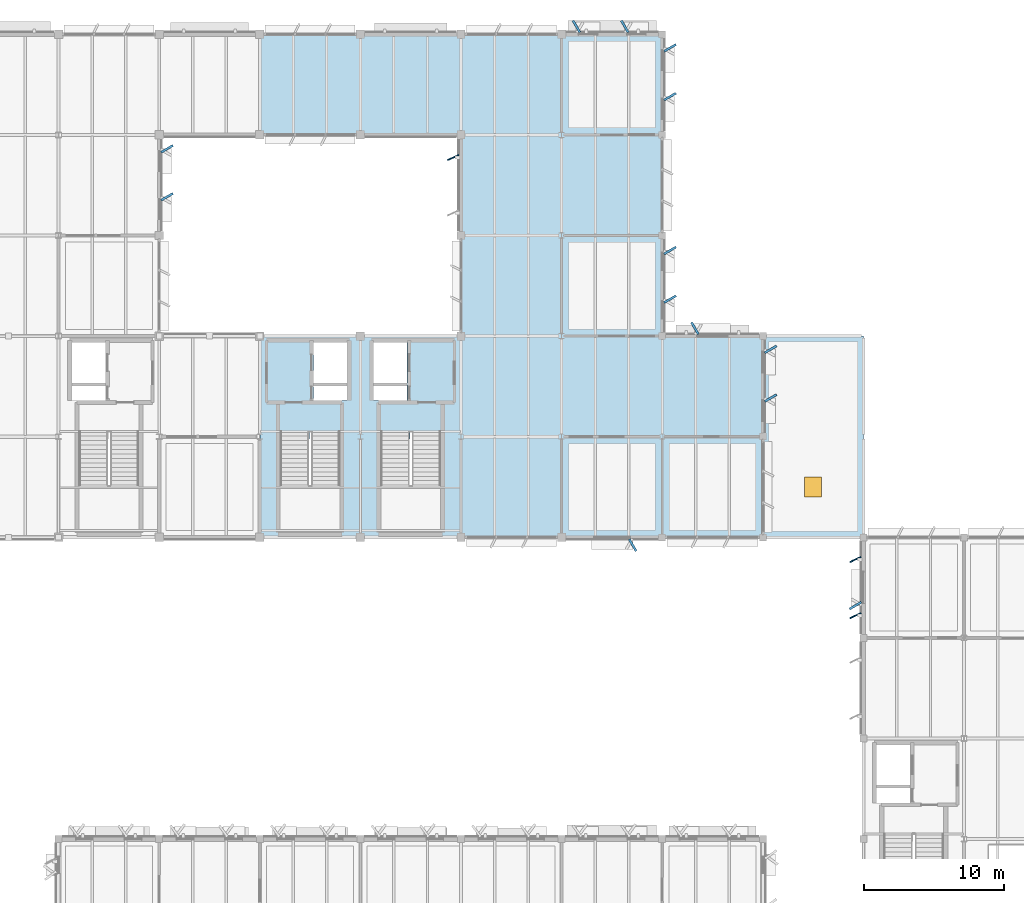
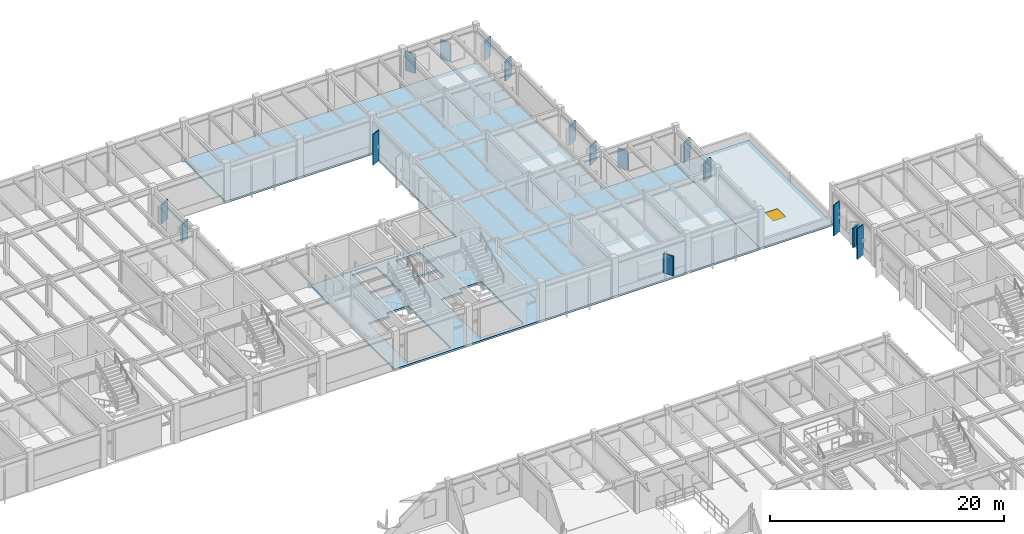
# One storey, part 28 of 85: 16 plates, 2 slabs, 1 door, 1 opening.
"""IFC4 building model written with IfcOpenShell, lengths in metres."""

from ifc_helpers import new_model, si_unit, direction, frame, origin, origin_2d, place, context, subcontext, project, spatial, polyline, rectangle, outline, extrude, material, layer, layer_set, type_object, element, fill, save


model = new_model("IFC4")

# Units and contexts
model_context = context("Model", 3, precision=1e-05, world=origin(), true_north=direction((0.0, 1.0)))
body_context = subcontext(model_context, "Body", "Model", "MODEL_VIEW")
ifc_project = project(units=[si_unit("LENGTHUNIT", "METRE"), si_unit("AREAUNIT", "SQUARE_METRE"), si_unit("VOLUMEUNIT", "CUBIC_METRE"), si_unit("PLANEANGLEUNIT", "RADIAN"), si_unit("MASSUNIT", "GRAM", prefix="KILO")], contexts=[model_context])

# Site, building, storey
site_placement = place(None, origin())
site = spatial("IfcSite", under=ifc_project, at=site_placement, CompositionType="ELEMENT")
building_placement = place(site_placement, origin())
building = spatial("IfcBuilding", under=site, at=building_placement, Name="Sillqori Civic Hall", CompositionType="ELEMENT")
storey_placement = place(building_placement, frame((0.0, 0.0, 9.89990234375)))
storey = spatial("IfcBuildingStorey", under=building, at=storey_placement, Name="L03", CompositionType="ELEMENT", Elevation=9.89990234375)

# Plates
ifc_material_1 = material(Name="Precast concrete C40/50 (H40)", Category="concrete")
ifc_layer_1 = layer(ifc_material_1, 0.159912109375)
ifc_layer_set_1 = layer_set([ifc_layer_1], Name="Precast concrete C40/50 (H40)")
plate_type_1 = type_object("IfcPlateType", Name="FIN-WEST-350", PredefinedType="USERDEFINED", material=ifc_layer_set_1)
for number, where, z_axis, x_axis, name in (
    (1, (93.034912109375, 106.3798828125, 0.150146484375), (0.0, 0.0, 1.0), (-0.422618261741, 0.906307787037, 0.0), "L03 west brise-soleil fin L03-13-14-W.2"),
    (2, (121.824951171875, 73.590087890625, 0.150146484375), (0.0, 0.0, 1.0), (-0.422618261741, 0.906307787037, 0.0), "L03 west brise-soleil fin L03-17-10-W.1"),
    (3, (121.824951171875, 77.610107421875, 0.150146484375), (0.0, 0.0, 1.0), (-0.422618261741, 0.906307787037, 0.0), "L03 west brise-soleil fin L03-17-10-W.2"),
):
    element("IfcPlate", number, at=place(storey_placement, frame(where, z_axis=z_axis, x_axis=x_axis)), inside=storey, type_object=plate_type_1, Name=name, ObjectType="SOLAR_FIN", PredefinedType="USERDEFINED", context=body_context, shape_type="SweptSolid", body=[
        extrude(rectangle(XDim=0.090087890625, YDim=0.8798828125, at=origin_2d()), origin(), (0.0, 0.0, 1.0), 3.18701171875),
    ])
ifc_layer_2 = layer(ifc_material_1, 0.159912109375)
ifc_layer_set_2 = layer_set([ifc_layer_2], Name="Precast concrete C40/50 (H40)")
plate_type_2 = type_object("IfcPlateType", Name="REV-SAW-200", PredefinedType="USERDEFINED", material=ifc_layer_set_2)
for number, where, z_axis, x_axis, name in (
    (4, (72.56005859375, 107.0009765625, 0.875), (0.0, 0.0, 1.0), (0.5, -0.866025403784, 0.0), "Sawtooth stone window reveal L03-09-14-E.1"),
    (5, (72.56005859375, 103.569091796875, 0.875), (0.0, 0.0, 1.0), (0.5, -0.866025403784, 0.0), "Sawtooth stone window reveal L03-09-14-E.2"),
    (6, (105.885009765625, 78.639892578125, 0.900146484375), (0.0, 0.0, 1.0), (-0.866025403784, -0.5, 0.0), "Sawtooth stone window reveal L03-14-11-S.1"),
    (7, (108.56005859375, 99.72705078125, 0.875), (0.0, 0.0, 1.0), (0.5, -0.866025403784, 0.0), "Sawtooth stone window reveal L03-14-13-E.1"),
    (8, (108.56005859375, 96.242919921875, 0.875), (0.0, 0.0, 1.0), (0.5, -0.866025403784, 0.0), "Sawtooth stone window reveal L03-14-13-E.2"),
    (9, (101.861083984375, 115.760009765625, 0.875), (0.0, 0.0, 1.0), (0.866025403784, 0.5, 0.0), "Sawtooth stone window reveal L03-14-15-N.1"),
    (10, (105.319091796875, 115.760009765625, 0.875), (0.0, 0.0, 1.0), (0.866025403784, 0.5, 0.0), "Sawtooth stone window reveal L03-14-15-N.2"),
    (11, (108.56005859375, 114.22705078125, 0.875), (0.0, 0.0, 1.0), (0.5, -0.866025403784, 0.0), "Sawtooth stone window reveal L03-14-15-E.1"),
    (12, (108.56005859375, 110.742919921875, 0.875), (0.0, 0.0, 1.0), (0.5, -0.866025403784, 0.0), "Sawtooth stone window reveal L03-14-15-E.2"),
    (13, (110.340087890625, 94.159912109375, 0.900146484375), (0.0, 0.0, 1.0), (0.866025403784, 0.5, 0.0), "Sawtooth stone window reveal L03-15-12-N.1"),
    (14, (115.760009765625, 92.652099609375, 0.900146484375), (0.0, 0.0, 1.0), (0.5, -0.866025403784, 0.0), "Sawtooth stone window reveal L03-15-12-E.1"),
    (15, (115.760009765625, 89.16796875, 0.900146484375), (0.0, 0.0, 1.0), (0.5, -0.866025403784, 0.0), "Sawtooth stone window reveal L03-15-12-E.2"),
    (16, (121.830078125, 74.31494140625, 0.97509765625), (0.0, 0.0, 1.0), (-0.5, 0.866025403784, 0.0), "Sawtooth stone window reveal L03-17-10-W.1"),
):
    element("IfcPlate", number, at=place(storey_placement, frame(where, z_axis=z_axis, x_axis=x_axis)), inside=storey, type_object=plate_type_2, Name=name, ObjectType="REVEAL_PANEL", PredefinedType="USERDEFINED", context=body_context, shape_type="SweptSolid", body=[
        extrude(rectangle(XDim=0.159912109375, YDim=0.97998046875, at=origin_2d()), origin(), (0.0, 0.0, 1.0), 2.0),
    ])

# Slab
ifc_material_2 = material(Name="Concrete C30/37 (H30)", Category="concrete")
ifc_layer_3 = layer(ifc_material_2, 0.199951171875)
ifc_layer_set_3 = layer_set([ifc_layer_3], Name="Concrete C30/37 (H30)")
slab_type_1 = type_object("IfcSlabType", Name="SLB-FLR-200", PredefinedType="FLOOR", material=ifc_layer_set_3)
slab_1_placement = place(storey_placement, frame((0.0, 0.0, -0.199951171875)))
element("IfcSlab", 17, at=slab_1_placement, inside=storey, type_object=slab_type_1, Name="L03 V4 composite floor slab 2.1", PredefinedType="FLOOR", context=body_context, shape_type="SweptSolid", body=[
    extrude(outline(polyline([(93.60009765625, 93.60009765625), (93.60009765625, 100.800048828125), (93.60009765625, 108.0), (86.39990234375, 108.0), (79.199951171875, 108.0), (79.199951171875, 115.199951171875), (86.39990234375, 115.199951171875), (93.60009765625, 115.199951171875), (100.800048828125, 115.199951171875), (108.0, 115.199951171875), (108.0, 108.0), (108.0, 100.800048828125), (108.0, 93.60009765625), (115.199951171875, 93.60009765625), (115.199951171875, 86.39990234375), (115.199951171875, 79.199951171875), (108.0, 79.199951171875), (100.800048828125, 79.199951171875), (93.60009765625, 79.199951171875), (86.39990234375, 79.199951171875), (79.199951171875, 79.199951171875), (79.199951171875, 86.39990234375), (79.199951171875, 93.60009765625), (86.39990234375, 93.60009765625), (93.60009765625, 93.60009765625)]), holes=[polyline([(82.760009765625, 86.219970703125), (80.659912109375, 86.219970703125), (80.659912109375, 79.550048828125), (84.93994140625, 79.550048828125), (84.93994140625, 86.77001953125), (82.760009765625, 86.77001953125), (82.760009765625, 86.219970703125)]), polyline([(89.9599609375, 86.219970703125), (87.860107421875, 86.219970703125), (87.860107421875, 79.550048828125), (92.139892578125, 79.550048828125), (92.139892578125, 86.77001953125), (89.9599609375, 86.77001953125), (89.9599609375, 86.219970703125)]), polyline([(85.449951171875, 89.0), (85.449951171875, 90.10009765625), (83.050048828125, 90.10009765625), (83.050048828125, 89.0), (85.449951171875, 89.0)]), polyline([(89.75, 89.0), (89.75, 90.10009765625), (87.35009765625, 90.10009765625), (87.35009765625, 89.0), (89.75, 89.0)]), polyline([(85.449951171875, 90.25), (85.449951171875, 93.14990234375), (83.050048828125, 93.14990234375), (83.050048828125, 90.25), (85.449951171875, 90.25)]), polyline([(89.75, 90.25), (89.75, 93.14990234375), (87.35009765625, 93.14990234375), (87.35009765625, 90.25), (89.75, 90.25)])]), origin(), (0.0, 0.0, 1.0), 0.199951171875),
])

# Slab, opening, door
ifc_layer_4 = layer(ifc_material_2, 0.199951171875)
ifc_layer_set_4 = layer_set([ifc_layer_4], Name="Concrete C30/37 (H30)")
slab_type_2 = type_object("IfcSlabType", Name="SLB-ROOF-200", PredefinedType="ROOF", material=ifc_layer_set_4)
slab_2_placement = place(storey_placement, frame((0.0, 0.0, -0.199951171875)))
slab_2 = element("IfcSlab", 18, at=slab_2_placement, inside=storey, type_object=slab_type_2, Name="L03 flat structural roof over L02 4", PredefinedType="ROOF", context=body_context, shape_type="SweptSolid", body=[
    extrude(outline(polyline([(115.199951171875, 86.39990234375), (115.199951171875, 93.60009765625), (122.39990234375, 93.60009765625), (122.39990234375, 86.39990234375), (122.39990234375, 79.199951171875), (115.199951171875, 79.199951171875), (115.199951171875, 86.39990234375)]), holes=[polyline([(118.199951171875, 82.10009765625), (118.199951171875, 83.5), (119.39990234375, 83.5), (119.39990234375, 82.10009765625), (118.199951171875, 82.10009765625)])]), origin(), (0.0, 0.0, 1.0), 0.199951171875),
])
opening_placement = place(slab_2_placement, frame((118.800048828125, 82.800048828125, 0.0)))
opening = element("IfcOpeningElement", 19, at=opening_placement, cuts=slab_2, Name="Opening TH-02", PredefinedType="OPENING", context=body_context, shape_type="SweptSolid", body=[
    extrude(rectangle(XDim=1.199951171875, YDim=1.39990234375, at=origin_2d()), frame((0.0, 0.0, -0.010009765625)), (0.0, 0.0, 1.0), 0.219970703125),
])
ifc_material_3 = material(Name="Galvanized Insulated Steel", Category="steel")
door_type = type_object("IfcDoorType", Name="TRP-ROOF-120X140", OperationType="NOTDEFINED", PredefinedType="TRAPDOOR", material=ifc_material_3)
door_placement = place(opening_placement, frame((0.0, 0.0, 0.14990234375)))
door = element("IfcDoor", 20, at=door_placement, inside=storey, type_object=door_type, Name="L03 maintenance roof access hatch 10", OperationType="SINGLE_SWING_LEFT", OverallHeight=1.39990234375, OverallWidth=1.199951171875, PredefinedType="TRAPDOOR", context=body_context, shape_type="SweptSolid", body=[
    extrude(rectangle(XDim=1.199951171875, YDim=1.39990234375, at=origin_2d()), origin(), (0.0, 0.0, 1.0), 0.050048828125),
])
fill(opening, door)

save(model, "model.ifc")
